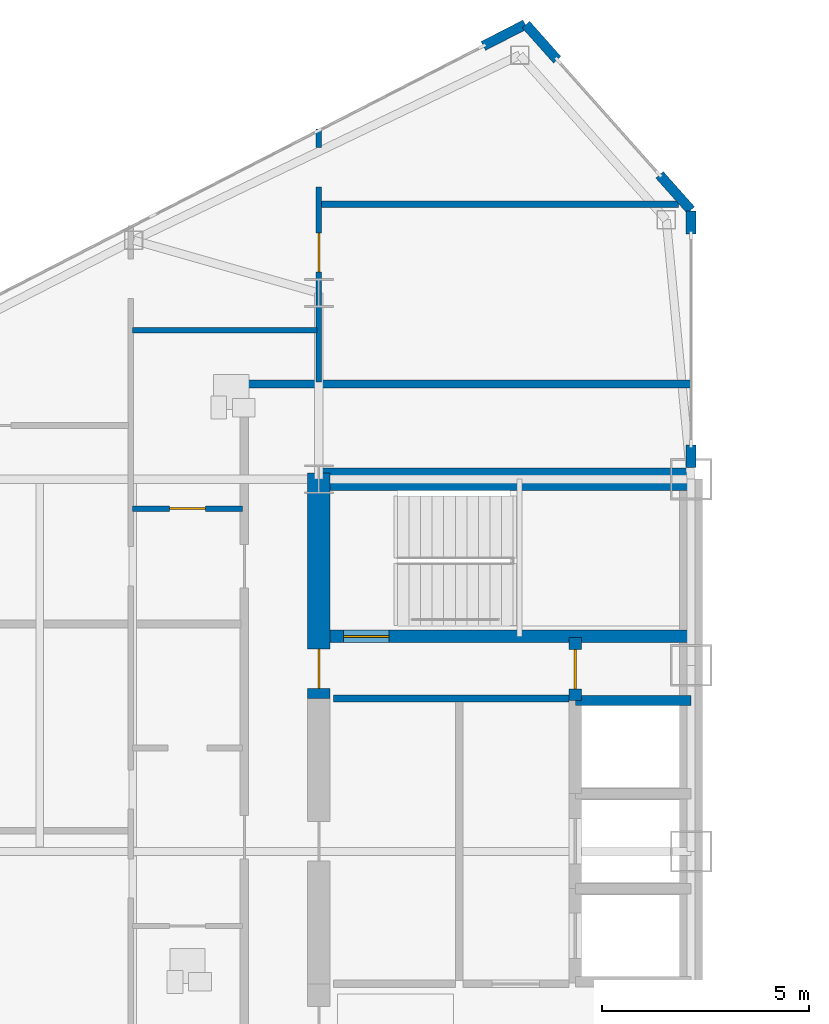
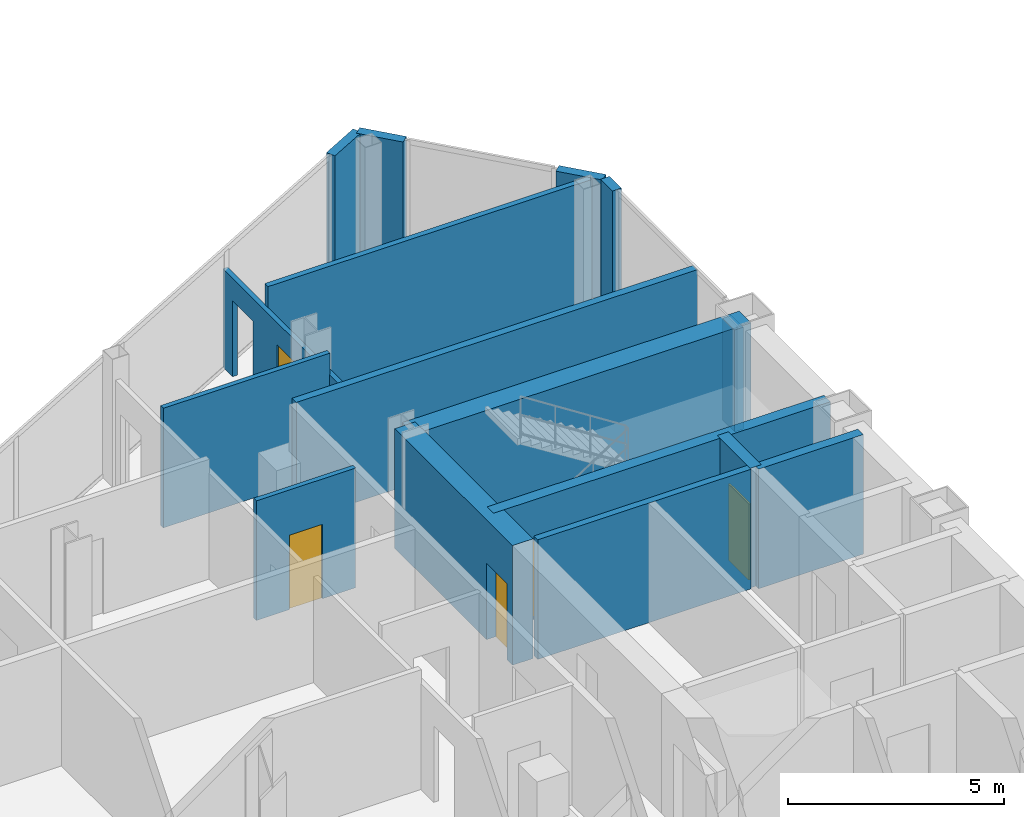
# One storey, part 18 of 24: 16 walls, 5 doors, 6 openings.
"""IFC4 building model written with IfcOpenShell, lengths in metres."""

from ifc_helpers import new_model, si_unit, direction, frame, frame_2d, origin, place, context, subcontext, project, spatial, rectangle, extrude, source, transform, mapped, material, layer, layer_set, type_object, type_shapes, element, fill, save


model = new_model("IFC4")

# Units and contexts
model_context = context("Model", 3, precision=1e-05, world=origin(), true_north=direction((0.0, 1.0)))
body_context = subcontext(model_context, "Body", "Model", "MODEL_VIEW")
ifc_project = project(units=[si_unit("LENGTHUNIT", "METRE"), si_unit("AREAUNIT", "SQUARE_METRE"), si_unit("VOLUMEUNIT", "CUBIC_METRE"), si_unit("PLANEANGLEUNIT", "RADIAN"), si_unit("MASSUNIT", "GRAM", prefix="KILO")], contexts=[model_context])

# Site, building, storey
site_placement = place(None, origin())
site = spatial("IfcSite", under=ifc_project, at=site_placement, CompositionType="ELEMENT")
building_placement = place(site_placement, origin())
building = spatial("IfcBuilding", under=site, at=building_placement, Name="Seokmaru Belvedere", CompositionType="ELEMENT")
storey_placement = place(building_placement, frame((0.0, 0.0, 140.39990234375)))
storey = spatial("IfcBuildingStorey", under=building, at=storey_placement, Name="L37", CompositionType="ELEMENT", Elevation=140.39990234375)

# Walls
ifc_material_1 = material(Name="Fire-Rated Gypsum Shaftwall")
ifc_layer_1 = layer(ifc_material_1, 0.14990234375)
ifc_layer_set_1 = layer_set([ifc_layer_1], Name="Fire-Rated Gypsum Shaftwall")
wall_type_1 = type_object("IfcWallType", Name="Apartment Fire-Acoustic Room Partition 150", PredefinedType="PARTITIONING", material=ifc_layer_set_1)
wall_1_placement = place(storey_placement, frame((-36.449951171875, 20.14990234375, 0.0), z_axis=(0.0, 0.0, 1.0), x_axis=(1.0, 0.0, 0.0)))
element("IfcWall", 1, at=wall_1_placement, inside=storey, type_object=wall_type_1, Name="L37 Interior Partition 033", PredefinedType="PARTITIONING", context=body_context, shape_type="SweptSolid", body=[
    extrude(rectangle(XDim=8.6494140625, YDim=0.14990234375, at=frame_2d((4.32470703125, 0.0))), origin(), (0.0, 0.0, 1.0), 3.380126953125),
])
ifc_layer_2 = layer(ifc_material_1, 0.179931640625)
ifc_layer_set_2 = layer_set([ifc_layer_2], Name="Fire-Rated Gypsum Shaftwall")
wall_type_2 = type_object("IfcWallType", Name="Core Service Fire Partition 180", PredefinedType="PARTITIONING", material=ifc_layer_set_2)
wall_2_placement = place(storey_placement, frame((-36.14990234375, 8.199951171875, 0.0), z_axis=(0.0, 0.0, 1.0), x_axis=(1.0, 0.0, 0.0)))
element("IfcWall", 2, at=wall_2_placement, inside=storey, type_object=wall_type_2, Name="L37 West Smokeproof Vestibule Partition", PredefinedType="PARTITIONING", context=body_context, shape_type="SweptSolid", body=[
    extrude(rectangle(XDim=5.699951171875, YDim=0.179931640625, at=frame_2d((2.85009765625, 0.0))), origin(), (0.0, 0.0, 1.0), 3.380126953125),
])
ifc_material_2 = material(Name="Concrete C50 (50 MPa)", Category="concrete")
ifc_layer_3 = layer(ifc_material_2, 0.25)
ifc_layer_set_3 = layer_set([ifc_layer_3], Name="Concrete C50 (50 MPa)")
wall_type_3 = type_object("IfcWallType", Name="Hoistway Transverse Concrete Divider Wall 250", PredefinedType="SHEAR", material=ifc_layer_set_3)
wall_3_placement = place(storey_placement, frame((-30.300048828125, 8.14990234375, 0.0), z_axis=(0.0, 0.0, 1.0), x_axis=(1.0, 0.0, 0.0)))
element("IfcWall", 3, at=wall_3_placement, inside=storey, type_object=wall_type_3, Name="L37 West Hoistway Divider Core Wall 7", PredefinedType="SHEAR", context=body_context, shape_type="SweptSolid", body=[
    extrude(rectangle(XDim=2.800048828125, YDim=0.25, at=frame_2d((1.39990234375, 0.0))), origin(), (0.0, 0.0, 1.0), 3.380126953125),
])
ifc_layer_4 = layer(ifc_material_1, 0.199951171875)
ifc_layer_set_4 = layer_set([ifc_layer_4], Name="Fire-Rated Gypsum Shaftwall")
wall_type_4 = type_object("IfcWallType", Name="Inter-Tenancy Fire Compartment Partition 200", PredefinedType="PARTITIONING", material=ifc_layer_set_4)
wall_4_placement = place(storey_placement, frame((-38.215087890625, 15.800048828125, 0.0), z_axis=(0.0, 0.0, 1.0), x_axis=(1.0, 0.0, 0.0)))
element("IfcWall", 4, at=wall_4_placement, inside=storey, type_object=wall_type_4, Name="L37 Interior Partition 030", PredefinedType="PARTITIONING", context=body_context, shape_type="SweptSolid", body=[
    extrude(rectangle(XDim=10.715087890625, YDim=0.199951171875, at=frame_2d((5.357421875, 0.0))), origin(), (0.0, 0.0, 1.0), 3.380126953125),
])

# Wall, opening, door
ifc_layer_5 = layer(ifc_material_2, 0.300048828125)
ifc_layer_set_5 = layer_set([ifc_layer_5], Name="Concrete C50 (50 MPa)")
wall_type_5 = type_object("IfcWallType", Name="Internal Core Stair and Hoistway Wall 300", PredefinedType="SHEAR", material=ifc_layer_set_5)
wall_5_placement = place(storey_placement, frame((-36.5, 9.699951171875, 0.0), z_axis=(0.0, 0.0, 1.0), x_axis=(1.0, 0.0, 0.0)))
wall_5 = element("IfcWall", 5, at=wall_5_placement, inside=storey, type_object=wall_type_5, Name="L37 West Stair ST-2 Enclosure Wall", PredefinedType="SHEAR", context=body_context, shape_type="SweptSolid", body=[
    extrude(rectangle(XDim=9.0, YDim=0.300048828125, at=frame_2d((4.5, 0.0))), origin(), (0.0, 0.0, 1.0), 3.380126953125),
])
opening_1_placement = place(wall_5_placement, frame((0.60009765625, 0.0, 0.0)))
opening_1 = element("IfcOpeningElement", 6, at=opening_1_placement, cuts=wall_5, Name="Opening D01", PredefinedType="OPENING", context=body_context, shape_type="SweptSolid", body=[
    extrude(rectangle(XDim=1.10009765625, YDim=2.199951171875, at=frame_2d((0.550048828125, 1.10009765625))), frame((0.0, 0.16015625, 0.0), z_axis=(0.0, -1.0, 0.0), x_axis=(1.0, 0.0, 0.0)), (0.0, 0.0, 1.0), 0.320068359375),
])
ifc_material_3 = material(Name="Fire-Rated Steel Leaf", Category="steel")
door_type_1 = type_object("IfcDoorType", Name="Special Escape Stair Smokeproof Fire Door 1100x2200", OperationType="NOTDEFINED", PredefinedType="DOOR", material=ifc_material_3)
shared_shape_1 = source(origin(), body_context, "Body", "SweptSolid", [
    extrude(rectangle(XDim=1.10009765625, YDim=2.199951171875, at=frame_2d((0.550048828125, 1.10009765625))), frame((0.0, 0.02490234375, 0.0), z_axis=(0.0, -1.0, 0.0), x_axis=(1.0, 0.0, 0.0)), (0.0, 0.0, 1.0), 0.050048828125),
])
type_shapes(door_type_1, [shared_shape_1])
door_1_placement = place(opening_1_placement, origin())
door_1 = element("IfcDoor", 7, at=door_1_placement, inside=storey, type_object=door_type_1, Name="L37 West Special Escape Stair ST-2 Door", OperationType="SINGLE_SWING_RIGHT", OverallHeight=2.199951171875, OverallWidth=1.10009765625, PredefinedType="DOOR", context=body_context, shape_type="MappedRepresentation", body=[
    mapped(shared_shape_1, transform((0.0, 0.0, 0.0), scale=1.0)),
])
fill(opening_1, door_1)

wall_6_placement = place(storey_placement, frame((-30.300048828125, 8.14990234375, 0.0), z_axis=(0.0, 0.0, 1.0), x_axis=(0.0, 1.0, 0.0)))
wall_6 = element("IfcWall", 8, at=wall_6_placement, inside=storey, type_object=wall_type_5, Name="L37 West Electrical Riser Front Wall", PredefinedType="SHEAR", context=body_context, shape_type="SweptSolid", body=[
    extrude(rectangle(XDim=1.530029296875, YDim=0.300048828125, at=frame_2d((0.76513671875, 0.0))), origin(), (0.0, 0.0, 1.0), 3.380126953125),
])
opening_2_placement = place(wall_6_placement, frame((0.284912109375, 0.0, 0.0)))
opening_2 = element("IfcOpeningElement", 9, at=opening_2_placement, cuts=wall_6, Name="Opening D04", PredefinedType="OPENING", context=body_context, shape_type="SweptSolid", body=[
    extrude(rectangle(XDim=0.949951171875, YDim=2.14990234375, at=frame_2d((0.47509765625, 1.074951171875))), frame((0.0, 0.16015625, 0.0), z_axis=(0.0, -1.0, 0.0), x_axis=(1.0, 0.0, 0.0)), (0.0, 0.0, 1.0), 0.320068359375),
])
door_type_2 = type_object("IfcDoorType", Name="Core Service Room Fire Door 950x2150", OperationType="NOTDEFINED", PredefinedType="DOOR", material=ifc_material_3)
shared_shape_2 = source(origin(), body_context, "Body", "SweptSolid", [
    extrude(rectangle(XDim=0.949951171875, YDim=2.14990234375, at=frame_2d((0.47509765625, 1.074951171875))), frame((0.0, 0.02490234375, 0.0), z_axis=(0.0, -1.0, 0.0), x_axis=(1.0, 0.0, 0.0)), (0.0, 0.0, 1.0), 0.050048828125),
])
type_shapes(door_type_2, [shared_shape_2])
door_2_placement = place(opening_2_placement, origin())
door_2 = element("IfcDoor", 10, at=door_2_placement, inside=storey, type_object=door_type_2, Name="L37 West Electrical Riser Access Door", OperationType="SINGLE_SWING_LEFT", OverallHeight=2.14990234375, OverallWidth=0.949951171875, PredefinedType="DOOR", context=body_context, shape_type="MappedRepresentation", body=[
    mapped(shared_shape_2, transform((0.0, 0.0, 0.0), scale=1.0)),
])
fill(opening_2, door_2)

# Wall
ifc_layer_6 = layer(ifc_material_2, 0.550048828125)
ifc_layer_set_6 = layer_set([ifc_layer_6], Name="Concrete C50 (50 MPa)")
wall_type_6 = type_object("IfcWallType", Name="Mid-High Reinforced Concrete Core Wall 550", PredefinedType="SHEAR", material=ifc_layer_set_6)
wall_7_placement = place(storey_placement, frame((-36.5, 13.5, 0.0), z_axis=(0.0, 0.0, 1.0), x_axis=(1.0, 0.0, 0.0)))
element("IfcWall", 11, at=wall_7_placement, inside=storey, type_object=wall_type_6, Name="L37 West North Core Wall", PredefinedType="SHEAR", context=body_context, shape_type="SweptSolid", body=[
    extrude(rectangle(XDim=9.0, YDim=0.550048828125, at=frame_2d((4.5, 0.0))), origin(), (0.0, 0.0, 1.0), 3.380126953125),
])

# Wall, opening, door
wall_8_placement = place(storey_placement, frame((-36.5, 8.199951171875, 0.0), z_axis=(0.0, 0.0, 1.0), x_axis=(0.0, 1.0, 0.0)))
wall_8 = element("IfcWall", 12, at=wall_8_placement, inside=storey, type_object=wall_type_6, Name="L37 West West Core Wall VST", PredefinedType="SHEAR", context=body_context, shape_type="SweptSolid", body=[
    extrude(rectangle(XDim=5.449951171875, YDim=0.550048828125, at=frame_2d((2.72509765625, 0.0))), origin(), (0.0, 0.0, 1.0), 3.380126953125),
])
opening_3_placement = place(wall_8_placement, frame((0.2451171875, 0.0, 0.0)))
opening_3 = element("IfcOpeningElement", 13, at=opening_3_placement, cuts=wall_8, Name="Opening D04", PredefinedType="OPENING", context=body_context, shape_type="SweptSolid", body=[
    extrude(rectangle(XDim=0.949951171875, YDim=2.14990234375, at=frame_2d((0.47509765625, 1.074951171875))), frame((0.0, 0.28515625, 0.0), z_axis=(0.0, -1.0, 0.0), x_axis=(1.0, 0.0, 0.0)), (0.0, 0.0, 1.0), 0.570068359375),
])
door_3_placement = place(opening_3_placement, frame((0.949951171875, 0.0, 0.0), z_axis=(0.0, 0.0, 1.0), x_axis=(-1.0, 0.0, 0.0)))
door_3 = element("IfcDoor", 14, at=door_3_placement, inside=storey, type_object=door_type_2, Name="L37 West Smokeproof Vestibule Door", OperationType="SINGLE_SWING_RIGHT", OverallHeight=2.14990234375, OverallWidth=0.949951171875, PredefinedType="DOOR", context=body_context, shape_type="MappedRepresentation", body=[
    mapped(shared_shape_2, transform((0.0, 0.0, 0.0), scale=1.0)),
])
fill(opening_3, door_3)

ifc_layer_7 = layer(ifc_material_1, 0.1298828125)
ifc_layer_set_7 = layer_set([ifc_layer_7], Name="Fire-Rated Gypsum Shaftwall")
wall_type_7 = type_object("IfcWallType", Name="Moisture-Resistant Fire-Rated Bathroom Partition 130", PredefinedType="PARTITIONING", material=ifc_layer_set_7)
wall_9_placement = place(storey_placement, frame((-41.0, 12.7900390625, 0.0), z_axis=(0.0, 0.0, 1.0), x_axis=(1.0, 0.0, 0.0)))
wall_9 = element("IfcWall", 15, at=wall_9_placement, inside=storey, type_object=wall_type_7, Name="L37 Interior Partition 028", PredefinedType="PARTITIONING", context=body_context, shape_type="SweptSolid", body=[
    extrude(rectangle(XDim=2.64990234375, YDim=0.1298828125, at=frame_2d((1.324951171875, 0.0))), origin(), (0.0, 0.0, 1.0), 3.380126953125),
])
opening_4_placement = place(wall_9_placement, frame((0.885009765625, 0.0, 0.0)))
opening_4 = element("IfcOpeningElement", 16, at=opening_4_placement, cuts=wall_9, Name="Opening D06", PredefinedType="OPENING", context=body_context, shape_type="SweptSolid", body=[
    extrude(rectangle(XDim=0.8798828125, YDim=2.10009765625, at=frame_2d((0.43994140625, 1.050048828125))), frame((0.0, 0.074951171875, 0.0), z_axis=(0.0, -1.0, 0.0), x_axis=(1.0, 0.0, 0.0)), (0.0, 0.0, 1.0), 0.14990234375),
])
ifc_material_4 = material(Name="Engineered White Oak Timber", Category="wood")
door_type_3 = type_object("IfcDoorType", Name="Bathroom and Restroom Fire-Rated Door 880x2100", OperationType="NOTDEFINED", PredefinedType="DOOR", material=ifc_material_4)
shared_shape_3 = source(origin(), body_context, "Body", "SweptSolid", [
    extrude(rectangle(XDim=0.8798828125, YDim=2.10009765625, at=frame_2d((0.43994140625, 1.050048828125))), frame((0.0, 0.02490234375, 0.0), z_axis=(0.0, -1.0, 0.0), x_axis=(1.0, 0.0, 0.0)), (0.0, 0.0, 1.0), 0.050048828125),
])
type_shapes(door_type_3, [shared_shape_3])
door_4_placement = place(opening_4_placement, origin())
door_4 = element("IfcDoor", 17, at=door_4_placement, inside=storey, type_object=door_type_3, Name="L37 Interior Door 029", OperationType="SINGLE_SWING_LEFT", OverallHeight=2.10009765625, OverallWidth=0.8798828125, PredefinedType="DOOR", context=body_context, shape_type="MappedRepresentation", body=[
    mapped(shared_shape_3, transform((0.0, 0.0, 0.0), scale=1.0)),
])
fill(opening_4, door_4)

# Wall
wall_10_placement = place(storey_placement, frame((-41.0, 17.10009765625, 0.0), z_axis=(0.0, 0.0, 1.0), x_axis=(1.0, 0.0, 0.0)))
element("IfcWall", 18, at=wall_10_placement, inside=storey, type_object=wall_type_7, Name="L37 Interior Partition 032", PredefinedType="PARTITIONING", context=body_context, shape_type="SweptSolid", body=[
    extrude(rectangle(XDim=4.449951171875, YDim=0.1298828125, at=frame_2d((2.22509765625, 0.0))), origin(), (0.0, 0.0, 1.0), 3.380126953125),
])

# Wall, openings, door
wall_11_placement = place(storey_placement, frame((-36.5, 15.85009765625, 0.0), z_axis=(0.0, 0.0, 1.0), x_axis=(0.0, 1.0, 0.0)))
wall_11 = element("IfcWall", 19, at=wall_11_placement, inside=storey, type_object=wall_type_7, Name="L37 Interior Partition 042", PredefinedType="PARTITIONING", context=body_context, shape_type="SweptSolid", body=[
    extrude(rectangle(XDim=6.118896484375, YDim=0.1298828125, at=frame_2d((3.0595703125, 0.0))), origin(), (0.0, 0.0, 1.0), 2.780029296875),
])
opening_5_placement = place(wall_11_placement, frame((2.65625, 0.0, 0.0)))
opening_5 = element("IfcOpeningElement", 20, at=opening_5_placement, cuts=wall_11, Name="Opening D05", PredefinedType="OPENING", context=body_context, shape_type="SweptSolid", body=[
    extrude(rectangle(XDim=0.949951171875, YDim=2.14990234375, at=frame_2d((0.47509765625, 1.074951171875))), frame((0.0, 0.074951171875, 0.0), z_axis=(0.0, -1.0, 0.0), x_axis=(1.0, 0.0, 0.0)), (0.0, 0.0, 1.0), 0.14990234375),
])
opening_6_placement = place(wall_11_placement, frame((4.717041015625, 0.0, 0.0)))
element("IfcOpeningElement", 21, at=opening_6_placement, cuts=wall_11, Name="L37 Cased Opening 035", PredefinedType="OPENING", context=body_context, shape_type="SweptSolid", body=[
    extrude(rectangle(XDim=0.949951171875, YDim=2.14990234375, at=frame_2d((0.47509765625, 1.074951171875))), frame((0.0, 0.074951171875, 0.0), z_axis=(0.0, -1.0, 0.0), x_axis=(1.0, 0.0, 0.0)), (0.0, 0.0, 1.0), 0.14990234375),
])
door_type_4 = type_object("IfcDoorType", Name="Apartment Interior Fire-Rated Oak Door 950x2150", OperationType="NOTDEFINED", PredefinedType="DOOR", material=ifc_material_4)
shared_shape_4 = source(origin(), body_context, "Body", "SweptSolid", [
    extrude(rectangle(XDim=0.949951171875, YDim=2.14990234375, at=frame_2d((0.47509765625, 1.074951171875))), frame((0.0, 0.02490234375, 0.0), z_axis=(0.0, -1.0, 0.0), x_axis=(1.0, 0.0, 0.0)), (0.0, 0.0, 1.0), 0.050048828125),
])
type_shapes(door_type_4, [shared_shape_4])
door_5_placement = place(opening_5_placement, origin())
door_5 = element("IfcDoor", 22, at=door_5_placement, inside=storey, type_object=door_type_4, Name="L37 Interior Door 034", OperationType="SINGLE_SWING_LEFT", OverallHeight=2.14990234375, OverallWidth=0.949951171875, PredefinedType="DOOR", context=body_context, shape_type="MappedRepresentation", body=[
    mapped(shared_shape_4, transform((0.0, 0.0, 0.0), scale=1.0)),
])
fill(opening_5, door_5)

# Walls
ifc_material_5 = material(Name="Anodised Bronze Aluminium", Category="aluminium")
ifc_layer_8 = layer(ifc_material_5, 0.239990234375)
ifc_layer_set_8 = layer_set([ifc_layer_8], Name="Anodised Bronze Aluminium")
wall_type_8 = type_object("IfcWallType", Name="Tower Corner Spandrel Closure Wall 240", PredefinedType="SOLIDWALL", material=ifc_layer_set_8)
wall_12_placement = place(storey_placement, frame((-27.5, 13.780029296875, 0.0), z_axis=(0.0, 0.0, 1.0), x_axis=(0.0, 1.0, 0.0)))
element("IfcWall", 23, at=wall_12_placement, inside=storey, type_object=wall_type_8, Name="L37 W Spine Closure Pier 2A", PredefinedType="SOLIDWALL", context=body_context, shape_type="SweptSolid", body=[
    extrude(rectangle(XDim=0.550048828125, YDim=0.239990234375, at=frame_2d((0.27490234375, 0.0))), origin(), (0.0, 0.0, 1.0), 2.880126953125),
])
wall_13_placement = place(storey_placement, frame((-27.5, 19.429931640625, 0.0), z_axis=(0.0, 0.0, 1.0), x_axis=(0.0, 1.0, 0.0)))
element("IfcWall", 24, at=wall_13_placement, inside=storey, type_object=wall_type_8, Name="L37 W Spine Closure Pier 2B", PredefinedType="SOLIDWALL", context=body_context, shape_type="SweptSolid", body=[
    extrude(rectangle(XDim=0.550048828125, YDim=0.239990234375, at=frame_2d((0.27490234375, 0.0))), origin(), (0.0, 0.0, 1.0), 3.380126953125),
])
for number, where, z_axis, x_axis, name in (
    (25, (-27.506591796875, 20.007568359375, 0.0), (0.0, 0.0, 1.0), (-0.664337252513, 0.747432950119, 0.0), "L37 W Corner Closure Pier 2A"),
    (26, (-30.736083984375, 23.640380859375, 0.0), (0.0, 0.0, 1.0), (-0.664337252513, 0.747432950119, 0.0), "L37 W Corner Closure Pier 2B"),
):
    element("IfcWall", number, at=place(storey_placement, frame(where, z_axis=z_axis, x_axis=x_axis)), inside=storey, type_object=wall_type_8, Name=name, PredefinedType="SOLIDWALL", context=body_context, shape_type="SweptSolid", body=[
        extrude(rectangle(XDim=1.139892578125, YDim=0.239990234375, at=frame_2d((0.56982421875, 0.0))), origin(), (0.0, 0.0, 1.0), 3.380126953125),
    ])
wall_14_placement = place(storey_placement, frame((-31.5087890625, 24.495361328125, 0.0), z_axis=(0.0, 0.0, 1.0), x_axis=(-0.889797395748, -0.456355776255, 0.0)))
element("IfcWall", 27, at=wall_14_placement, inside=storey, type_object=wall_type_8, Name="L37 W Corner Closure Pier 3A", PredefinedType="SOLIDWALL", context=body_context, shape_type="SweptSolid", body=[
    extrude(rectangle(XDim=1.14013671875, YDim=0.239990234375, at=frame_2d((0.570068359375, 0.0))), origin(), (0.0, 0.0, 1.0), 3.380126953125),
])

save(model, "model.ifc")
